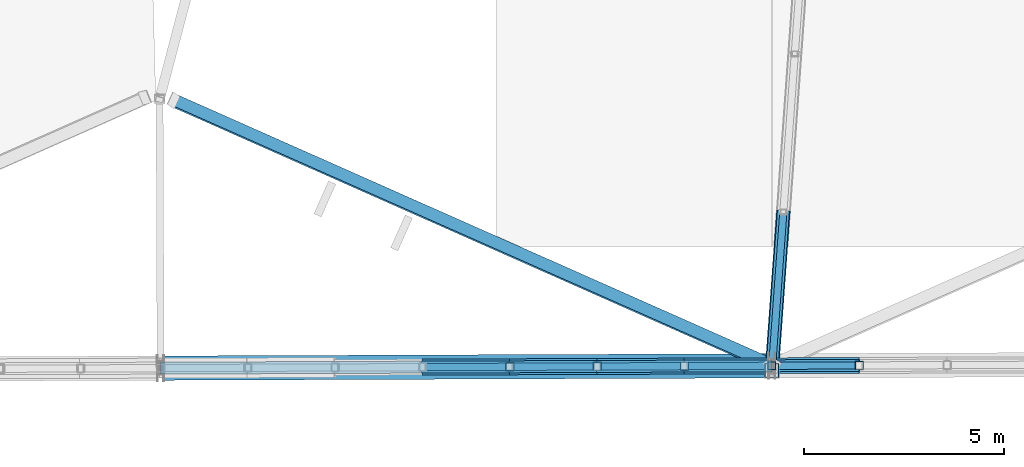
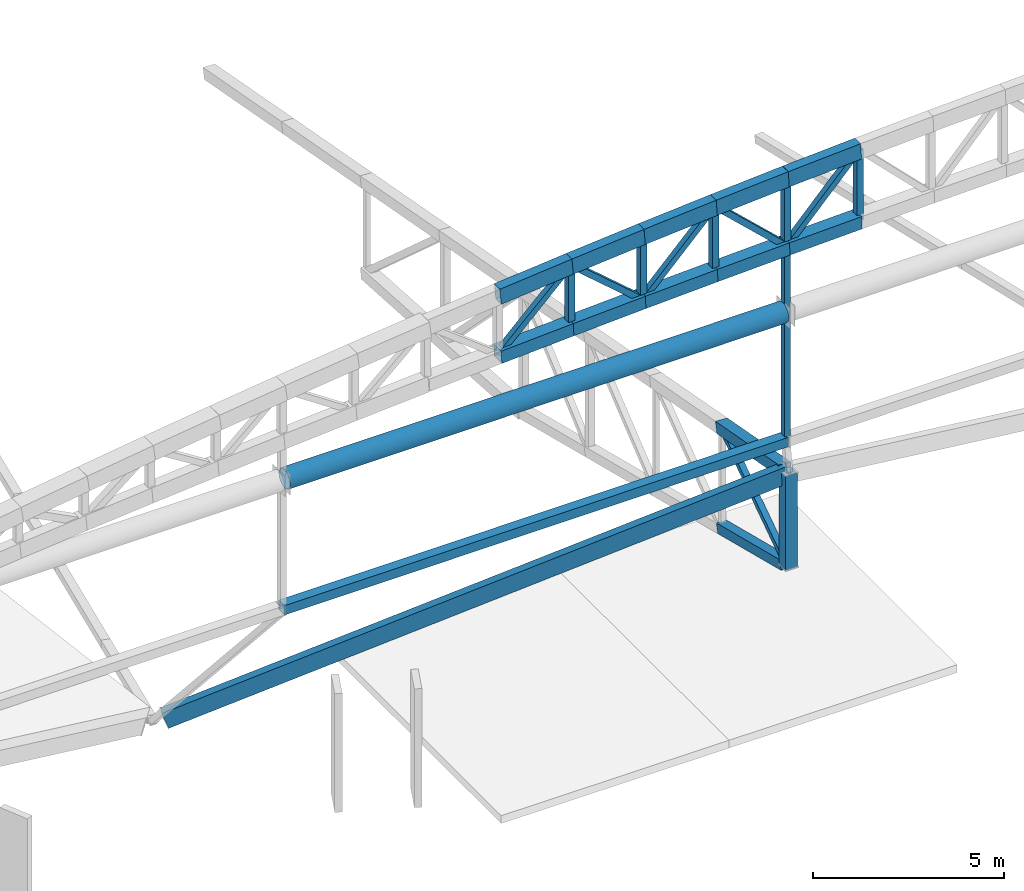
# One storey, part 19 of 188: 27 members, 1 beam.
"""IFC4 building model written with IfcOpenShell, lengths in metres."""

from ifc_helpers import new_model, si_unit, direction, frame, origin, origin_2d, place, context, subcontext, project, spatial, hollow_rectangle, hollow_circle, extrude, material, material_profile, profile_set, type_object, element, save


model = new_model("IFC4")

# Units and contexts
model_context = context("Model", 3, precision=1e-05, world=origin(), true_north=direction((0.0, 1.0)))
body_context = subcontext(model_context, "Body", "Model", "MODEL_VIEW")
ifc_project = project(units=[si_unit("LENGTHUNIT", "METRE"), si_unit("AREAUNIT", "SQUARE_METRE"), si_unit("VOLUMEUNIT", "CUBIC_METRE"), si_unit("PLANEANGLEUNIT", "RADIAN"), si_unit("MASSUNIT", "GRAM", prefix="KILO")], contexts=[model_context])

# Site, building, storey
site_placement = place(None, origin())
site = spatial("IfcSite", under=ifc_project, at=site_placement, CompositionType="ELEMENT")
building_placement = place(site_placement, origin())
building = spatial("IfcBuilding", under=site, at=building_placement, Name="Meseta Stadium", CompositionType="ELEMENT")
storey_placement = place(building_placement, frame((0.0, 0.0, 30.0)))
storey = spatial("IfcBuildingStorey", under=building, at=storey_placement, Name="ROOF", CompositionType="ELEMENT", Elevation=30.0)

# Members
ifc_material_1 = material(Name="Steel S355", Category="steel")
ifc_material_profile_1 = material_profile(ifc_material_1, hollow_circle(Radius=0.304931640625, WallThickness=0.02490234375, at=origin_2d()), Name="CHS 610x25")
ifc_profile_set_1 = profile_set([ifc_material_profile_1], Name="Steel S355")
member_type_1 = type_object("IfcMemberType", Name="CHS 610x25 arch tie", PredefinedType="STRUT", material=ifc_profile_set_1)
member_1_placement = place(storey_placement, frame((-22.884033203125, -105.340576171875, 15.550048828125), z_axis=(0.99999262272, 0.003841159526, 0.0), x_axis=(-0.003841159526, 0.99999262272, 0.0)))
element("IfcMember", 1, at=member_1_placement, inside=storey, type_object=member_type_1, Name="GABLE ARCH GA-S tie 02", PredefinedType="STRUT", context=body_context, shape_type="SweptSolid", body=[
    extrude(hollow_circle(Radius=0.304931640625, WallThickness=0.02490234375, at=origin_2d()), origin(), (0.0, 0.0, 1.0), 15.126953125),
])
ifc_material_2 = material(Name="Steel S355", Category="steel")
ifc_material_profile_2 = material_profile(ifc_material_2, hollow_rectangle(XDim=0.300048828125, YDim=0.5, WallThickness=0.01611328125, at=origin_2d()), Name="RHS 500x300x16")
ifc_profile_set_2 = profile_set([ifc_material_profile_2], Name="Steel S355")
member_type_2 = type_object("IfcMemberType", Name="RHS 500x300x16 arch top chord", PredefinedType="CHORD", material=ifc_profile_set_2)
member_2_placement = place(storey_placement, frame((-16.4140625, -105.315673828125, 19.177734375), z_axis=(0.995908418209, 0.00389157024, 0.090284429562), x_axis=(-0.003907528502, 0.999992365581, 0.0)))
element("IfcMember", 2, at=member_2_placement, inside=storey, type_object=member_type_2, Name="GABLE ARCH GA-S top chord", PredefinedType="CHORD", context=body_context, shape_type="SweptSolid", body=[
    extrude(hollow_rectangle(XDim=0.300048828125, YDim=0.5, WallThickness=0.01611328125, at=origin_2d()), origin(), (0.0, 0.0, 1.0), 2.19580078125),
])
member_3_placement = place(storey_placement, frame((-14.227294921875, -105.30712890625, 19.3759765625), z_axis=(0.996642958915, 0.003783170772, 0.081783250508), x_axis=(-0.003795886463, 0.999992795597, 0.0)))
element("IfcMember", 3, at=member_3_placement, inside=storey, type_object=member_type_2, Name="GABLE ARCH GA-S top chord", PredefinedType="CHORD", context=body_context, shape_type="SweptSolid", body=[
    extrude(hollow_rectangle(XDim=0.300048828125, YDim=0.5, WallThickness=0.01611328125, at=origin_2d()), origin(), (0.0, 0.0, 1.0), 2.194091796875),
])
member_4_placement = place(storey_placement, frame((-12.04052734375, -105.298828125, 19.555419921875), z_axis=(0.997305386372, 0.003785685289, 0.073264144717), x_axis=(-0.003795886463, 0.999992795597, 0.0)))
element("IfcMember", 4, at=member_4_placement, inside=storey, type_object=member_type_2, Name="GABLE ARCH GA-S top chord", PredefinedType="CHORD", context=body_context, shape_type="SweptSolid", body=[
    extrude(hollow_rectangle(XDim=0.300048828125, YDim=0.5, WallThickness=0.01611328125, at=origin_2d()), origin(), (0.0, 0.0, 1.0), 2.192626953125),
])
member_5_placement = place(storey_placement, frame((-9.853759765625, -105.29052734375, 19.716064453125), z_axis=(0.99790916722, 0.003899823677, 0.064514225974), x_axis=(-0.003907964799, 0.999992363876, 0.0)))
element("IfcMember", 5, at=member_5_placement, inside=storey, type_object=member_type_2, Name="GABLE ARCH GA-S top chord", PredefinedType="CHORD", context=body_context, shape_type="SweptSolid", body=[
    extrude(hollow_rectangle(XDim=0.300048828125, YDim=0.5, WallThickness=0.01611328125, at=origin_2d()), origin(), (0.0, 0.0, 1.0), 2.191162109375),
])
member_6_placement = place(storey_placement, frame((-7.667236328125, -105.281982421875, 19.857421875), z_axis=(0.998436781492, 0.003776908163, 0.055764938174), x_axis=(-0.003782794475, 0.999992845207, 0.0)))
element("IfcMember", 6, at=member_6_placement, inside=storey, type_object=member_type_2, Name="GABLE ARCH GA-S top chord", PredefinedType="CHORD", context=body_context, shape_type="SweptSolid", body=[
    extrude(hollow_rectangle(XDim=0.300048828125, YDim=0.5, WallThickness=0.01611328125, at=origin_2d()), origin(), (0.0, 0.0, 1.0), 2.19775390625),
])

# Beam
ifc_material_3 = material(Name="Steel S355", Category="steel")
ifc_material_profile_3 = material_profile(ifc_material_3, hollow_rectangle(XDim=0.300048828125, YDim=0.5, WallThickness=0.01611328125, at=origin_2d()), Name="RHS 500x300x16")
ifc_profile_set_3 = profile_set([ifc_material_profile_3], Name="Steel S355")
beam_type = type_object("IfcBeamType", Name="RHS 500x300x16 rim ring beam", PredefinedType="BEAM", material=ifc_profile_set_3)
beam_placement = place(storey_placement, frame((-22.644287109375, -98.63623046875, 3.734375), z_axis=(0.847168236299, -0.375703326713, 0.375703326713), x_axis=(0.428529417065, 0.901179089714, -0.065105967257)))
element("IfcBeam", 7, at=beam_placement, inside=storey, type_object=beam_type, Name="RIM RING BEAM 46", PredefinedType="BEAM", context=body_context, shape_type="SweptSolid", body=[
    extrude(hollow_rectangle(XDim=0.300048828125, YDim=0.5, WallThickness=0.01611328125, at=origin_2d()), origin(), (0.0, 0.0, 1.0), 17.75439453125),
])

# Members
ifc_material_4 = material(Name="Steel S355", Category="steel")
ifc_material_profile_4 = material_profile(ifc_material_4, hollow_rectangle(XDim=0.179931640625, YDim=0.179931640625, WallThickness=0.00634765625, at=origin_2d()), Name="SHS 180x180x6.3")
ifc_profile_set_4 = profile_set([ifc_material_profile_4], Name="Steel S355")
member_type_3 = type_object("IfcMemberType", Name="SHS 180x180x6.3 arch diagonal", PredefinedType="BRACE", material=ifc_profile_set_4)
member_7_placement = place(storey_placement, frame((-16.4140625, -105.315673828125, 17.270751953125), z_axis=(0.720408144272, 0.002815036848, 0.693544649777), x_axis=(-0.003907528502, 0.999992365581, 0.0)))
element("IfcMember", 8, at=member_7_placement, inside=storey, type_object=member_type_3, Name="GABLE ARCH GA-S diagonal", PredefinedType="BRACE", context=body_context, shape_type="SweptSolid", body=[
    extrude(hollow_rectangle(XDim=0.179931640625, YDim=0.179931640625, WallThickness=0.00634765625, at=origin_2d()), origin(), (0.0, 0.0, 1.0), 3.035400390625),
])
member_8_placement = place(storey_placement, frame((-14.227294921875, -105.30712890625, 19.3759765625), z_axis=(0.756886381971, 0.00287307547, -0.653540167262), x_axis=(-0.003795886463, 0.999992795597, 0.0)))
element("IfcMember", 9, at=member_8_placement, inside=storey, type_object=member_type_3, Name="GABLE ARCH GA-S diagonal", PredefinedType="BRACE", context=body_context, shape_type="SweptSolid", body=[
    extrude(hollow_rectangle(XDim=0.179931640625, YDim=0.179931640625, WallThickness=0.00634765625, at=origin_2d()), origin(), (0.0, 0.0, 1.0), 2.88916015625),
])
member_9_placement = place(storey_placement, frame((-12.04052734375, -105.298828125, 17.48779296875), z_axis=(0.700426147085, 0.002658757285, 0.71371993351), x_axis=(-0.003795886463, 0.999992795597, 0.0)))
element("IfcMember", 10, at=member_9_placement, inside=storey, type_object=member_type_3, Name="GABLE ARCH GA-S diagonal", PredefinedType="BRACE", context=body_context, shape_type="SweptSolid", body=[
    extrude(hollow_rectangle(XDim=0.179931640625, YDim=0.179931640625, WallThickness=0.00634765625, at=origin_2d()), origin(), (0.0, 0.0, 1.0), 3.1220703125),
])
member_10_placement = place(storey_placement, frame((-9.853759765625, -105.29052734375, 19.716064453125), z_axis=(0.728082475243, 0.002845342411, -0.685483634575), x_axis=(-0.003907964799, 0.999992363876, 0.0)))
element("IfcMember", 11, at=member_10_placement, inside=storey, type_object=member_type_3, Name="GABLE ARCH GA-S diagonal", PredefinedType="BRACE", context=body_context, shape_type="SweptSolid", body=[
    extrude(hollow_rectangle(XDim=0.179931640625, YDim=0.179931640625, WallThickness=0.00634765625, at=origin_2d()), origin(), (0.0, 0.0, 1.0), 3.003173828125),
])
member_11_placement = place(storey_placement, frame((-7.667236328125, -105.281982421875, 17.657470703125), z_axis=(0.686762553043, 0.002597900178, 0.72687718815), x_axis=(-0.003782794475, 0.999992845207, 0.0)))
element("IfcMember", 12, at=member_11_placement, inside=storey, type_object=member_type_3, Name="GABLE ARCH GA-S diagonal", PredefinedType="BRACE", context=body_context, shape_type="SweptSolid", body=[
    extrude(hollow_rectangle(XDim=0.179931640625, YDim=0.179931640625, WallThickness=0.00634765625, at=origin_2d()), origin(), (0.0, 0.0, 1.0), 3.195068359375),
])
ifc_material_5 = material(Name="Steel S355", Category="steel")
ifc_material_profile_5 = material_profile(ifc_material_5, hollow_rectangle(XDim=0.179931640625, YDim=0.179931640625, WallThickness=0.00634765625, at=origin_2d()), Name="SHS 180x180x6.3")
ifc_profile_set_5 = profile_set([ifc_material_profile_5], Name="Steel S355")
member_type_4 = type_object("IfcMemberType", Name="SHS 180x180x6.3 diagonal", PredefinedType="BRACE", material=ifc_profile_set_5)
member_12_placement = place(storey_placement, frame((-7.379150390625, -101.4365234375, 9.443115234375), z_axis=(-0.06492682307, -0.894755556632, -0.441811047306), x_axis=(0.997377602365, -0.072373464062, 0.0)))
element("IfcMember", 13, at=member_12_placement, inside=storey, type_object=member_type_4, Name="ROOF TRUSS RT-46 diagonal", PredefinedType="BRACE", context=body_context, shape_type="SweptSolid", body=[
    extrude(hollow_rectangle(XDim=0.179931640625, YDim=0.179931640625, WallThickness=0.00634765625, at=origin_2d()), origin(), (0.0, 0.0, 1.0), 4.4296875),
])
ifc_material_6 = material(Name="Steel S355", Category="steel")
ifc_material_profile_6 = material_profile(ifc_material_6, hollow_rectangle(XDim=0.179931640625, YDim=0.179931640625, WallThickness=0.00634765625, at=origin_2d()), Name="SHS 180x180x6.3")
ifc_profile_set_6 = profile_set([ifc_material_profile_6], Name="Steel S355")
member_type_5 = type_object("IfcMemberType", Name="SHS 180x180x6.3 hanger", PredefinedType="STRUT", material=ifc_profile_set_6)
member_13_placement = place(storey_placement, frame((-7.667236328125, -105.281982421875, 17.657470703125), z_axis=(0.0, 0.0, -1.0), x_axis=(1.0, 0.0, 0.0)))
element("IfcMember", 14, at=member_13_placement, inside=storey, type_object=member_type_5, Name="GABLE ARCH GA-S hanger RT-46", PredefinedType="STRUT", context=body_context, shape_type="SweptSolid", body=[
    extrude(hollow_rectangle(XDim=0.179931640625, YDim=0.179931640625, WallThickness=0.00634765625, at=origin_2d()), origin(), (0.0, 0.0, 1.0), 6.057373046875),
])
ifc_material_7 = material(Name="Steel S355", Category="steel")
ifc_material_profile_7 = material_profile(ifc_material_7, hollow_rectangle(XDim=0.199951171875, YDim=0.199951171875, WallThickness=0.008056640625, at=origin_2d()), Name="SHS 200x200x8")
ifc_profile_set_7 = profile_set([ifc_material_profile_7], Name="Steel S355")
member_type_6 = type_object("IfcMemberType", Name="SHS 200x200x8 arch vertical", PredefinedType="POST", material=ifc_profile_set_7)
member_14_placement = place(storey_placement, frame((-14.227294921875, -105.30712890625, 17.38525390625), z_axis=(0.0, 0.0, 1.0), x_axis=(1.0, 0.0, 0.0)))
element("IfcMember", 15, at=member_14_placement, inside=storey, type_object=member_type_6, Name="GABLE ARCH GA-S vertical", PredefinedType="POST", context=body_context, shape_type="SweptSolid", body=[
    extrude(hollow_rectangle(XDim=0.199951171875, YDim=0.199951171875, WallThickness=0.008056640625, at=origin_2d()), origin(), (0.0, 0.0, 1.0), 1.99072265625),
])
member_15_placement = place(storey_placement, frame((-12.04052734375, -105.298828125, 17.48779296875), z_axis=(0.0, 0.0, 1.0), x_axis=(1.0, 0.0, 0.0)))
element("IfcMember", 16, at=member_15_placement, inside=storey, type_object=member_type_6, Name="GABLE ARCH GA-S vertical", PredefinedType="POST", context=body_context, shape_type="SweptSolid", body=[
    extrude(hollow_rectangle(XDim=0.199951171875, YDim=0.199951171875, WallThickness=0.008056640625, at=origin_2d()), origin(), (0.0, 0.0, 1.0), 2.067626953125),
])
member_16_placement = place(storey_placement, frame((-9.853759765625, -105.29052734375, 17.578369140625), z_axis=(0.0, 0.0, 1.0), x_axis=(1.0, 0.0, 0.0)))
element("IfcMember", 17, at=member_16_placement, inside=storey, type_object=member_type_6, Name="GABLE ARCH GA-S vertical", PredefinedType="POST", context=body_context, shape_type="SweptSolid", body=[
    extrude(hollow_rectangle(XDim=0.199951171875, YDim=0.199951171875, WallThickness=0.008056640625, at=origin_2d()), origin(), (0.0, 0.0, 1.0), 2.1376953125),
])
member_17_placement = place(storey_placement, frame((-7.667236328125, -105.281982421875, 17.657470703125), z_axis=(0.0, 0.0, 1.0), x_axis=(1.0, 0.0, 0.0)))
element("IfcMember", 18, at=member_17_placement, inside=storey, type_object=member_type_6, Name="GABLE ARCH GA-S vertical", PredefinedType="POST", context=body_context, shape_type="SweptSolid", body=[
    extrude(hollow_rectangle(XDim=0.199951171875, YDim=0.199951171875, WallThickness=0.008056640625, at=origin_2d()), origin(), (0.0, 0.0, 1.0), 2.199951171875),
])
member_18_placement = place(storey_placement, frame((-5.472900390625, -105.273681640625, 17.725341796875), z_axis=(0.0, 0.0, 1.0), x_axis=(1.0, 0.0, 0.0)))
element("IfcMember", 19, at=member_18_placement, inside=storey, type_object=member_type_6, Name="GABLE ARCH GA-S vertical", PredefinedType="POST", context=body_context, shape_type="SweptSolid", body=[
    extrude(hollow_rectangle(XDim=0.199951171875, YDim=0.199951171875, WallThickness=0.008056640625, at=origin_2d()), origin(), (0.0, 0.0, 1.0), 2.254638671875),
])
ifc_material_8 = material(Name="Steel S355", Category="steel")
ifc_material_profile_8 = material_profile(ifc_material_8, hollow_rectangle(XDim=0.300048828125, YDim=0.300048828125, WallThickness=0.010009765625, at=origin_2d()), Name="SHS 300x300x10")
ifc_profile_set_8 = profile_set([ifc_material_profile_8], Name="Steel S355")
member_type_7 = type_object("IfcMemberType", Name="SHS 300x300x10 arch sill", PredefinedType="STRUT", material=ifc_profile_set_8)
member_19_placement = place(storey_placement, frame((-22.97412109375, -105.3408203125, 11.449951171875), z_axis=(0.999992612359, 0.00384385568, 0.0), x_axis=(-0.00384385568, 0.999992612359, 0.0)))
element("IfcMember", 20, at=member_19_placement, inside=storey, type_object=member_type_7, Name="GABLE ARCH GA-S sill beam 02", PredefinedType="STRUT", context=body_context, shape_type="SweptSolid", body=[
    extrude(hollow_rectangle(XDim=0.300048828125, YDim=0.300048828125, WallThickness=0.010009765625, at=origin_2d()), origin(), (0.0, 0.0, 1.0), 15.306884765625),
])
ifc_material_9 = material(Name="Steel S355", Category="steel")
ifc_material_profile_9 = material_profile(ifc_material_9, hollow_rectangle(XDim=0.300048828125, YDim=0.300048828125, WallThickness=0.010009765625, at=origin_2d()), Name="SHS 300x300x10")
ifc_profile_set_9 = profile_set([ifc_material_profile_9], Name="Steel S355")
member_type_8 = type_object("IfcMemberType", Name="SHS 300x300x10 bottom chord", PredefinedType="CHORD", material=ifc_profile_set_9)
member_20_placement = place(storey_placement, frame((-7.379150390625, -101.4365234375, 6.208740234375), z_axis=(-0.068862538308, -0.949546029118, 0.305974328015), x_axis=(0.997380640897, -0.072331577918, 0.0)))
element("IfcMember", 21, at=member_20_placement, inside=storey, type_object=member_type_8, Name="ROOF TRUSS RT-46 bottom chord", PredefinedType="CHORD", context=body_context, shape_type="SweptSolid", body=[
    extrude(hollow_rectangle(XDim=0.300048828125, YDim=0.300048828125, WallThickness=0.010009765625, at=origin_2d()), origin(), (0.0, 0.0, 1.0), 3.9990234375),
])
ifc_material_10 = material(Name="Steel S355", Category="steel")
ifc_material_profile_10 = material_profile(ifc_material_10, hollow_rectangle(XDim=0.35009765625, YDim=0.35009765625, WallThickness=0.010009765625, at=origin_2d()), Name="SHS 350x350x10")
ifc_profile_set_10 = profile_set([ifc_material_profile_10], Name="Steel S355")
member_type_9 = type_object("IfcMemberType", Name="SHS 350x350x10 rim post", PredefinedType="POST", material=ifc_profile_set_10)
member_21_placement = place(storey_placement, frame((-7.666748046875, -105.39990234375, 7.486083984375), z_axis=(0.0, 0.0, 1.0), x_axis=(1.0, 0.0, 0.0)))
element("IfcMember", 22, at=member_21_placement, inside=storey, type_object=member_type_9, Name="ROOF TRUSS RT-46 post", PredefinedType="POST", context=body_context, shape_type="SweptSolid", body=[
    extrude(hollow_rectangle(XDim=0.35009765625, YDim=0.35009765625, WallThickness=0.010009765625, at=origin_2d()), origin(), (0.0, 0.0, 1.0), 3.0),
])
ifc_material_11 = material(Name="Steel S355", Category="steel")
ifc_material_profile_11 = material_profile(ifc_material_11, hollow_rectangle(XDim=0.35009765625, YDim=0.35009765625, WallThickness=0.010009765625, at=origin_2d()), Name="SHS 350x350x10")
ifc_profile_set_11 = profile_set([ifc_material_profile_11], Name="Steel S355")
member_type_10 = type_object("IfcMemberType", Name="SHS 350x350x10 top chord", PredefinedType="CHORD", material=ifc_profile_set_11)
member_22_placement = place(storey_placement, frame((-7.379150390625, -101.4365234375, 9.443115234375), z_axis=(-0.070011442269, -0.964705538281, 0.253853545105), x_axis=(0.99737694665, -0.072382499892, 0.0)))
element("IfcMember", 23, at=member_22_placement, inside=storey, type_object=member_type_10, Name="ROOF TRUSS RT-46 top chord", PredefinedType="CHORD", context=body_context, shape_type="SweptSolid", body=[
    extrude(hollow_rectangle(XDim=0.35009765625, YDim=0.35009765625, WallThickness=0.010009765625, at=origin_2d()), origin(), (0.0, 0.0, 1.0), 3.93359375),
])
ifc_material_12 = material(Name="Steel S355", Category="steel")
ifc_material_profile_12 = material_profile(ifc_material_12, hollow_rectangle(XDim=0.39990234375, YDim=0.39990234375, WallThickness=0.01416015625, at=origin_2d()), Name="SHS 400x400x14.2")
ifc_profile_set_12 = profile_set([ifc_material_profile_12], Name="Steel S355")
member_type_11 = type_object("IfcMemberType", Name="SHS 400x400x14.2 arch bottom chord", PredefinedType="CHORD", material=ifc_profile_set_12)
member_23_placement = place(storey_placement, frame((-16.4140625, -105.315673828125, 17.270751953125), z_axis=(0.998624357389, 0.003902182931, 0.052289251269), x_axis=(-0.003907528502, 0.999992365581, 0.0)))
element("IfcMember", 24, at=member_23_placement, inside=storey, type_object=member_type_11, Name="GABLE ARCH GA-S bottom chord", PredefinedType="CHORD", context=body_context, shape_type="SweptSolid", body=[
    extrude(hollow_rectangle(XDim=0.39990234375, YDim=0.39990234375, WallThickness=0.01416015625, at=origin_2d()), origin(), (0.0, 0.0, 1.0), 2.189697265625),
])
member_24_placement = place(storey_placement, frame((-14.227294921875, -105.30712890625, 17.38525390625), z_axis=(0.998895260021, 0.003791720313, 0.04683889798), x_axis=(-0.003795886463, 0.999992795597, 0.0)))
element("IfcMember", 25, at=member_24_placement, inside=storey, type_object=member_type_11, Name="GABLE ARCH GA-S bottom chord", PredefinedType="CHORD", context=body_context, shape_type="SweptSolid", body=[
    extrude(hollow_rectangle(XDim=0.39990234375, YDim=0.39990234375, WallThickness=0.01416015625, at=origin_2d()), origin(), (0.0, 0.0, 1.0), 2.189208984375),
])
member_25_placement = place(storey_placement, frame((-12.04052734375, -105.298828125, 17.48779296875), z_axis=(0.999136103185, 0.003792634533, 0.041384335635), x_axis=(-0.003795886463, 0.999992795597, 0.0)))
element("IfcMember", 26, at=member_25_placement, inside=storey, type_object=member_type_11, Name="GABLE ARCH GA-S bottom chord", PredefinedType="CHORD", context=body_context, shape_type="SweptSolid", body=[
    extrude(hollow_rectangle(XDim=0.39990234375, YDim=0.39990234375, WallThickness=0.01416015625, at=origin_2d()), origin(), (0.0, 0.0, 1.0), 2.188720703125),
])
member_26_placement = place(storey_placement, frame((-9.853759765625, -105.29052734375, 17.578369140625), z_axis=(0.999338637699, 0.00390541004, 0.036152938657), x_axis=(-0.003907964799, 0.999992363876, 0.0)))
element("IfcMember", 27, at=member_26_placement, inside=storey, type_object=member_type_11, Name="GABLE ARCH GA-S bottom chord", PredefinedType="CHORD", context=body_context, shape_type="SweptSolid", body=[
    extrude(hollow_rectangle(XDim=0.39990234375, YDim=0.39990234375, WallThickness=0.01416015625, at=origin_2d()), origin(), (0.0, 0.0, 1.0), 2.18798828125),
])
member_27_placement = place(storey_placement, frame((-7.667236328125, -105.281982421875, 17.657470703125), z_axis=(0.999514861956, 0.003780986349, 0.030915123679), x_axis=(-0.003782794475, 0.999992845207, 0.0)))
element("IfcMember", 28, at=member_27_placement, inside=storey, type_object=member_type_11, Name="GABLE ARCH GA-S bottom chord", PredefinedType="CHORD", context=body_context, shape_type="SweptSolid", body=[
    extrude(hollow_rectangle(XDim=0.39990234375, YDim=0.39990234375, WallThickness=0.01416015625, at=origin_2d()), origin(), (0.0, 0.0, 1.0), 2.1953125),
])

save(model, "model.ifc")
